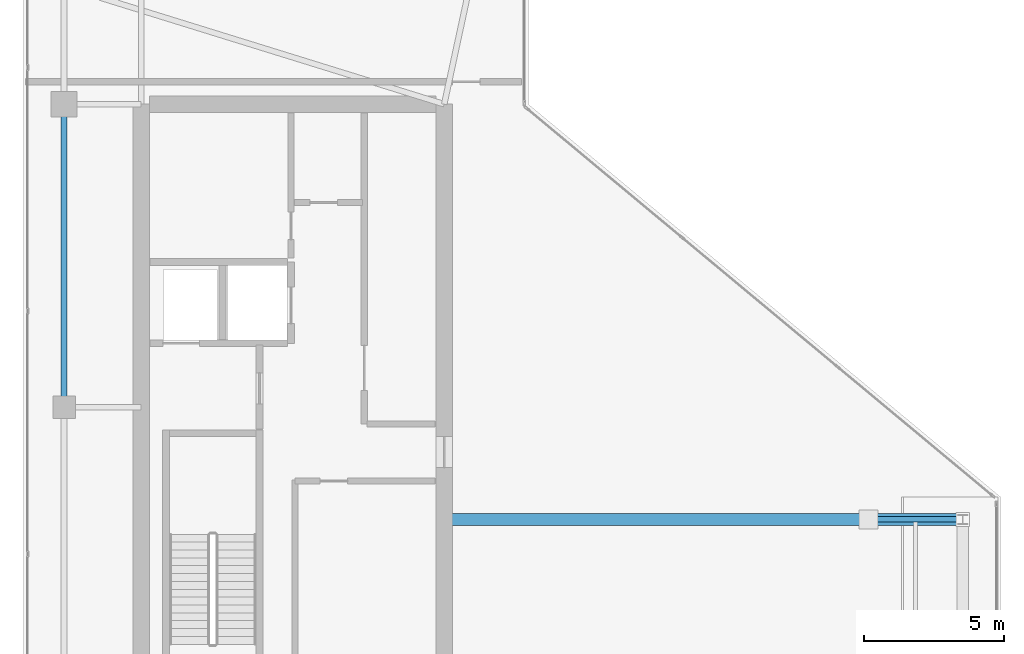
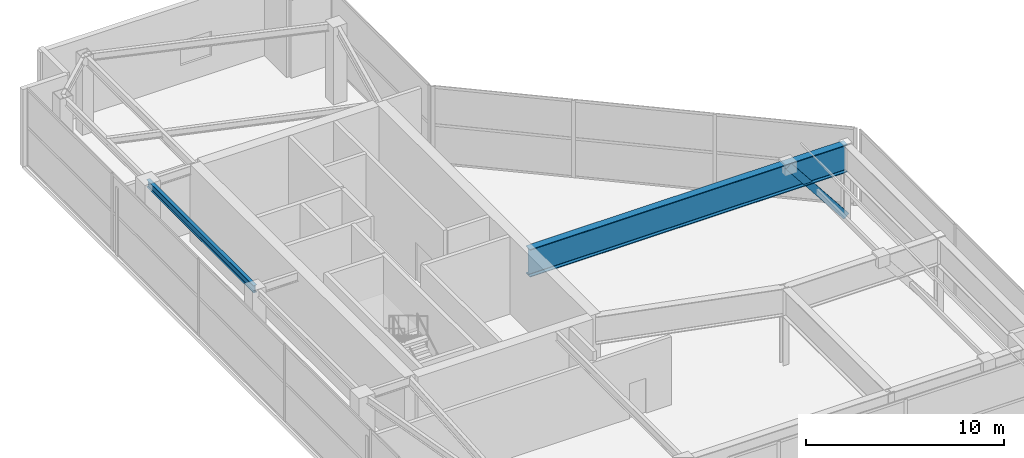
# One storey, part 10 of 21: 3 beams.
"""IFC4 building model written with IfcOpenShell, lengths in metres."""

from ifc_helpers import new_model, si_unit, direction, frame, origin, origin_2d, place, context, subcontext, project, spatial, hollow_rectangle, i_section, extrude, material, material_profile, profile_set, type_object, element, save


model = new_model("IFC4")

# Units and contexts
model_context = context("Model", 3, precision=1e-05, world=origin(), true_north=direction((0.0, 1.0)))
body_context = subcontext(model_context, "Body", "Model", "MODEL_VIEW")
ifc_project = project(units=[si_unit("LENGTHUNIT", "METRE"), si_unit("AREAUNIT", "SQUARE_METRE"), si_unit("VOLUMEUNIT", "CUBIC_METRE"), si_unit("PLANEANGLEUNIT", "RADIAN"), si_unit("MASSUNIT", "GRAM", prefix="KILO")], contexts=[model_context])

# Site, building, storey
site_placement = place(None, origin())
site = spatial("IfcSite", under=ifc_project, at=site_placement, CompositionType="ELEMENT")
building_placement = place(site_placement, origin())
building = spatial("IfcBuilding", under=site, at=building_placement, Name="Calvorn Quay Hotel", CompositionType="ELEMENT")
storey_placement = place(building_placement, frame((0.0, 0.0, 320.5)))
storey = spatial("IfcBuildingStorey", under=building, at=storey_placement, Name="L79", CompositionType="ELEMENT", Elevation=320.5)

# Beams
ifc_material_1 = material(Name="Steel Q355B", Category="steel")
ifc_material_profile_1 = material_profile(ifc_material_1, hollow_rectangle(XDim=0.199951171875, YDim=0.39990234375, WallThickness=0.013916015625, at=origin_2d()), Name="RHS400x200x14")
ifc_profile_set_1 = profile_set([ifc_material_profile_1], Name="Steel Q355B")
beam_type_1 = type_object("IfcBeamType", Name="BM-CRN-RAFTER", PredefinedType="BEAM", material=ifc_profile_set_1)
beam_1_placement = place(storey_placement, frame((33.48291015625, 23.60009765625, 0.25), z_axis=(-0.619962077242, 0.0, 0.784631775281), x_axis=(0.0, -1.0, 0.0)))
element("IfcBeam", 1, at=beam_1_placement, inside=storey, type_object=beam_type_1, Name="Crown Raking Rafter L79-3", PredefinedType="BEAM", context=body_context, shape_type="SweptSolid", body=[
    extrude(hollow_rectangle(XDim=0.199951171875, YDim=0.39990234375, WallThickness=0.013916015625, at=origin_2d()), origin(), (0.0, 0.0, 1.0), 5.42919921875),
])
ifc_material_2 = material(Name="Steel Q355B", Category="steel")
ifc_material_profile_2 = material_profile(ifc_material_2, i_section(OverallWidth=0.199951171875, OverallDepth=0.449951171875, WebThickness=0.009033203125, FlangeThickness=0.013916015625, FilletRadius=0.01611328125, at=origin_2d()), Name="HN450x200x9x14")
ifc_profile_set_2 = profile_set([ifc_material_profile_2], Name="Steel Q355B")
beam_type_2 = type_object("IfcBeamType", Name="BM-SPANDREL-Z3", PredefinedType="SPANDREL", material=ifc_profile_set_2)
beam_2_placement = place(storey_placement, frame((1.449951171875, 27.60009765625, 4.514892578125), z_axis=(0.0, 1.0, 0.0), x_axis=(-1.0, 0.0, 0.0)))
element("IfcBeam", 2, at=beam_2_placement, inside=storey, type_object=beam_type_2, Name="Beam BSP-L79-W3", PredefinedType="SPANDREL", context=body_context, shape_type="SweptSolid", body=[
    extrude(i_section(OverallWidth=0.199951171875, OverallDepth=0.449951171875, WebThickness=0.009033203125, FlangeThickness=0.013916015625, FilletRadius=0.01611328125, at=origin_2d()), origin(), (0.0, 0.0, 1.0), 10.7998046875),
])
ifc_material_3 = material(Name="Steel Q420GJC", Category="steel")
ifc_material_profile_3 = material_profile(ifc_material_3, i_section(OverallWidth=0.419921875, OverallDepth=1.699951171875, WebThickness=0.02392578125, FlangeThickness=0.0419921875, FilletRadius=0.02392578125, at=origin_2d()), Name="HN1700x420x24x42")
ifc_profile_set_3 = profile_set([ifc_material_profile_3], Name="Steel Q420GJC")
beam_type_3 = type_object("IfcBeamType", Name="BM-XFER-SAWTOOTH", PredefinedType="BEAM", material=ifc_profile_set_3)
beam_3_placement = place(storey_placement, frame((15.0, 23.60009765625, 3.889892578125), z_axis=(1.0, 0.0, 0.0), x_axis=(0.0, 1.0, 0.0)))
element("IfcBeam", 3, at=beam_3_placement, inside=storey, type_object=beam_type_3, Name="Beam BTG-L79-C-CR3", PredefinedType="BEAM", context=body_context, shape_type="SweptSolid", body=[
    extrude(i_section(OverallWidth=0.419921875, OverallDepth=1.699951171875, WebThickness=0.02392578125, FlangeThickness=0.0419921875, FilletRadius=0.02392578125, at=origin_2d()), origin(), (0.0, 0.0, 1.0), 18.48291015625),
])

save(model, "model.ifc")
